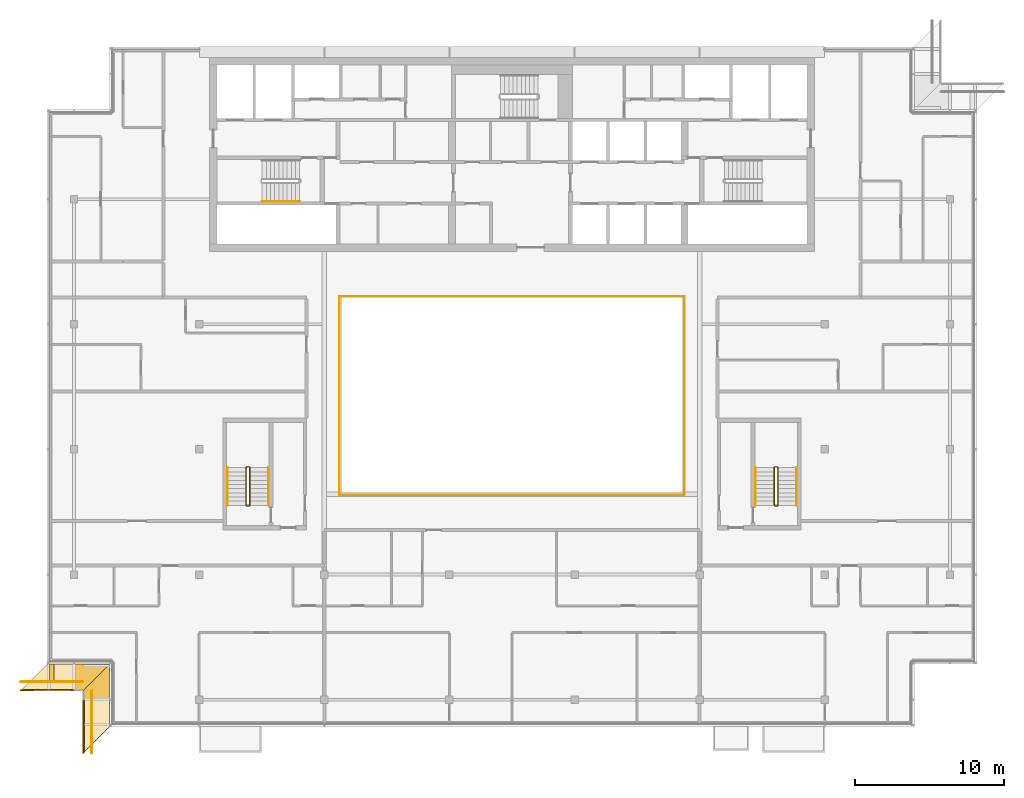
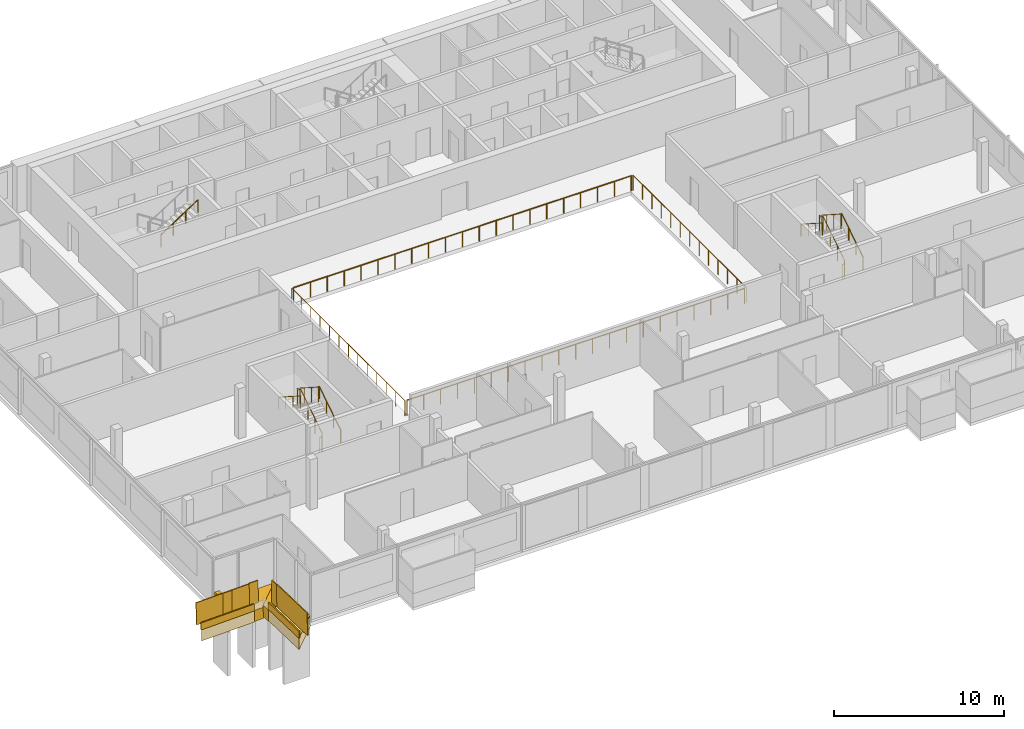
# One storey, part 22 of 24: 16 railings, 7 coverings.
"""IFC4 building model written with IfcOpenShell, lengths in metres."""

from ifc_helpers import new_model, si_unit, direction, frame, origin, origin_2d, place, context, subcontext, project, spatial, polyline, rectangle, circle, outline, extrude, material, layer, layer_set, type_object, element, save


model = new_model("IFC4")

# Units and contexts
model_context = context("Model", 3, precision=1e-05, world=origin(), true_north=direction((0.0, 1.0)))
body_context = subcontext(model_context, "Body", "Model", "MODEL_VIEW")
ifc_project = project(units=[si_unit("LENGTHUNIT", "METRE"), si_unit("AREAUNIT", "SQUARE_METRE"), si_unit("VOLUMEUNIT", "CUBIC_METRE"), si_unit("PLANEANGLEUNIT", "RADIAN"), si_unit("MASSUNIT", "GRAM", prefix="KILO")], contexts=[model_context])

# Site, building, storey
site_placement = place(None, origin())
site = spatial("IfcSite", under=ifc_project, at=site_placement, CompositionType="ELEMENT")
building_placement = place(site_placement, origin())
building = spatial("IfcBuilding", under=site, at=building_placement, Name="Saffron Gate Tower", CompositionType="ELEMENT")
storey_placement = place(building_placement, frame((0.0, 0.0, 281.550048828125)))
storey = spatial("IfcBuildingStorey", under=building, at=storey_placement, Name="L68", CompositionType="ELEMENT", Elevation=281.550048828125)

# Railings
ifc_material_1 = material(Name="Stainless steel and laminated glass", Category="steel")
railing_type_1 = type_object("IfcRailingType", Name="AG1 Atrium edge guard 1100", PredefinedType="GUARDRAIL", material=ifc_material_1)
railing_1_placement = place(storey_placement, frame((76.02001953125, 45.5400390625, 0.0)))
element("IfcRailing", 1, at=railing_1_placement, inside=storey, type_object=railing_type_1, Name="Guard E3-1", PredefinedType="GUARDRAIL", context=body_context, shape_type="SweptSolid", body=[
    extrude(circle(Radius=0.02392578125, at=origin_2d()), frame((0.0, 0.0, 1.076171875), z_axis=(0.0, 1.0, 0.0), x_axis=(-1.0, 0.0, 0.0)), (0.0, 0.0, 1.0), 13.320068359375),
    extrude(circle(Radius=0.02099609375, at=origin_2d()), origin(), (0.0, 0.0, 1.0), 1.052001953125),
    extrude(circle(Radius=0.02099609375, at=origin_2d()), frame((0.0, 1.110107421875, 0.0)), (0.0, 0.0, 1.0), 1.052001953125),
    extrude(circle(Radius=0.02099609375, at=origin_2d()), frame((0.0, 2.219970703125, 0.0)), (0.0, 0.0, 1.0), 1.052001953125),
    extrude(circle(Radius=0.02099609375, at=origin_2d()), frame((0.0, 3.330078125, 0.0)), (0.0, 0.0, 1.0), 1.052001953125),
    extrude(circle(Radius=0.02099609375, at=origin_2d()), frame((0.0, 4.43994140625, 0.0)), (0.0, 0.0, 1.0), 1.052001953125),
    extrude(circle(Radius=0.02099609375, at=origin_2d()), frame((0.0, 5.550048828125, 0.0)), (0.0, 0.0, 1.0), 1.052001953125),
    extrude(circle(Radius=0.02099609375, at=origin_2d()), frame((0.0, 6.66015625, 0.0)), (0.0, 0.0, 1.0), 1.052001953125),
    extrude(circle(Radius=0.02099609375, at=origin_2d()), frame((0.0, 7.77001953125, 0.0)), (0.0, 0.0, 1.0), 1.052001953125),
    extrude(circle(Radius=0.02099609375, at=origin_2d()), frame((0.0, 8.880126953125, 0.0)), (0.0, 0.0, 1.0), 1.052001953125),
    extrude(circle(Radius=0.02099609375, at=origin_2d()), frame((0.0, 9.989990234375, 0.0)), (0.0, 0.0, 1.0), 1.052001953125),
    extrude(circle(Radius=0.02099609375, at=origin_2d()), frame((0.0, 11.10009765625, 0.0)), (0.0, 0.0, 1.0), 1.052001953125),
    extrude(circle(Radius=0.02099609375, at=origin_2d()), frame((0.0, 12.2099609375, 0.0)), (0.0, 0.0, 1.0), 1.052001953125),
    extrude(circle(Radius=0.02099609375, at=origin_2d()), frame((0.0, 13.320068359375, 0.0)), (0.0, 0.0, 1.0), 1.052001953125),
])
railing_2_placement = place(storey_placement, frame((76.139892578125, 58.860107421875, 0.0)))
element("IfcRailing", 2, at=railing_2_placement, inside=storey, type_object=railing_type_1, Name="Guard E3-2", PredefinedType="GUARDRAIL", context=body_context, shape_type="SweptSolid", body=[
    extrude(circle(Radius=0.02392578125, at=origin_2d()), frame((0.0, 0.0, 1.076171875), z_axis=(1.0, 0.0, 0.0), x_axis=(0.0, 1.0, 0.0)), (0.0, 0.0, 1.0), 22.920166015625),
    extrude(circle(Radius=0.02099609375, at=origin_2d()), origin(), (0.0, 0.0, 1.0), 1.052001953125),
    extrude(circle(Radius=0.02099609375, at=origin_2d()), frame((1.14599609375, 0.0, 0.0)), (0.0, 0.0, 1.0), 1.052001953125),
    extrude(circle(Radius=0.02099609375, at=origin_2d()), frame((2.2919921875, 0.0, 0.0)), (0.0, 0.0, 1.0), 1.052001953125),
    extrude(circle(Radius=0.02099609375, at=origin_2d()), frame((3.43798828125, 0.0, 0.0)), (0.0, 0.0, 1.0), 1.052001953125),
    extrude(circle(Radius=0.02099609375, at=origin_2d()), frame((4.583984375, 0.0, 0.0)), (0.0, 0.0, 1.0), 1.052001953125),
    extrude(circle(Radius=0.02099609375, at=origin_2d()), frame((5.72998046875, 0.0, 0.0)), (0.0, 0.0, 1.0), 1.052001953125),
    extrude(circle(Radius=0.02099609375, at=origin_2d()), frame((6.8759765625, 0.0, 0.0)), (0.0, 0.0, 1.0), 1.052001953125),
    extrude(circle(Radius=0.02099609375, at=origin_2d()), frame((8.02197265625, 0.0, 0.0)), (0.0, 0.0, 1.0), 1.052001953125),
    extrude(circle(Radius=0.02099609375, at=origin_2d()), frame((9.16796875, 0.0, 0.0)), (0.0, 0.0, 1.0), 1.052001953125),
    extrude(circle(Radius=0.02099609375, at=origin_2d()), frame((10.31396484375, 0.0, 0.0)), (0.0, 0.0, 1.0), 1.052001953125),
    extrude(circle(Radius=0.02099609375, at=origin_2d()), frame((11.4599609375, 0.0, 0.0)), (0.0, 0.0, 1.0), 1.052001953125),
    extrude(circle(Radius=0.02099609375, at=origin_2d()), frame((12.606201171875, 0.0, 0.0)), (0.0, 0.0, 1.0), 1.052001953125),
    extrude(circle(Radius=0.02099609375, at=origin_2d()), frame((13.752197265625, 0.0, 0.0)), (0.0, 0.0, 1.0), 1.052001953125),
    extrude(circle(Radius=0.02099609375, at=origin_2d()), frame((14.898193359375, 0.0, 0.0)), (0.0, 0.0, 1.0), 1.052001953125),
    extrude(circle(Radius=0.02099609375, at=origin_2d()), frame((16.044189453125, 0.0, 0.0)), (0.0, 0.0, 1.0), 1.052001953125),
    extrude(circle(Radius=0.02099609375, at=origin_2d()), frame((17.190185546875, 0.0, 0.0)), (0.0, 0.0, 1.0), 1.052001953125),
    extrude(circle(Radius=0.02099609375, at=origin_2d()), frame((18.336181640625, 0.0, 0.0)), (0.0, 0.0, 1.0), 1.052001953125),
    extrude(circle(Radius=0.02099609375, at=origin_2d()), frame((19.482177734375, 0.0, 0.0)), (0.0, 0.0, 1.0), 1.052001953125),
    extrude(circle(Radius=0.02099609375, at=origin_2d()), frame((20.628173828125, 0.0, 0.0)), (0.0, 0.0, 1.0), 1.052001953125),
    extrude(circle(Radius=0.02099609375, at=origin_2d()), frame((21.774169921875, 0.0, 0.0)), (0.0, 0.0, 1.0), 1.052001953125),
    extrude(circle(Radius=0.02099609375, at=origin_2d()), frame((22.920166015625, 0.0, 0.0)), (0.0, 0.0, 1.0), 1.052001953125),
])
railing_3_placement = place(storey_placement, frame((99.179931640625, 58.860107421875, 0.0)))
element("IfcRailing", 3, at=railing_3_placement, inside=storey, type_object=railing_type_1, Name="Guard E3-3", PredefinedType="GUARDRAIL", context=body_context, shape_type="SweptSolid", body=[
    extrude(circle(Radius=0.02392578125, at=origin_2d()), frame((0.0, 0.0, 1.076171875), z_axis=(0.0, -1.0, 0.0), x_axis=(1.0, 0.0, 0.0)), (0.0, 0.0, 1.0), 13.320068359375),
    extrude(circle(Radius=0.02099609375, at=origin_2d()), origin(), (0.0, 0.0, 1.0), 1.052001953125),
    extrude(circle(Radius=0.02099609375, at=origin_2d()), frame((0.0, -1.110107421875, 0.0)), (0.0, 0.0, 1.0), 1.052001953125),
    extrude(circle(Radius=0.02099609375, at=origin_2d()), frame((0.0, -2.219970703125, 0.0)), (0.0, 0.0, 1.0), 1.052001953125),
    extrude(circle(Radius=0.02099609375, at=origin_2d()), frame((0.0, -3.330078125, 0.0)), (0.0, 0.0, 1.0), 1.052001953125),
    extrude(circle(Radius=0.02099609375, at=origin_2d()), frame((0.0, -4.43994140625, 0.0)), (0.0, 0.0, 1.0), 1.052001953125),
    extrude(circle(Radius=0.02099609375, at=origin_2d()), frame((0.0, -5.550048828125, 0.0)), (0.0, 0.0, 1.0), 1.052001953125),
    extrude(circle(Radius=0.02099609375, at=origin_2d()), frame((0.0, -6.66015625, 0.0)), (0.0, 0.0, 1.0), 1.052001953125),
    extrude(circle(Radius=0.02099609375, at=origin_2d()), frame((0.0, -7.77001953125, 0.0)), (0.0, 0.0, 1.0), 1.052001953125),
    extrude(circle(Radius=0.02099609375, at=origin_2d()), frame((0.0, -8.880126953125, 0.0)), (0.0, 0.0, 1.0), 1.052001953125),
    extrude(circle(Radius=0.02099609375, at=origin_2d()), frame((0.0, -9.989990234375, 0.0)), (0.0, 0.0, 1.0), 1.052001953125),
    extrude(circle(Radius=0.02099609375, at=origin_2d()), frame((0.0, -11.10009765625, 0.0)), (0.0, 0.0, 1.0), 1.052001953125),
    extrude(circle(Radius=0.02099609375, at=origin_2d()), frame((0.0, -12.2099609375, 0.0)), (0.0, 0.0, 1.0), 1.052001953125),
    extrude(circle(Radius=0.02099609375, at=origin_2d()), frame((0.0, -13.320068359375, 0.0)), (0.0, 0.0, 1.0), 1.052001953125),
])
railing_4_placement = place(storey_placement, frame((99.06005859375, 45.5400390625, 0.0)))
element("IfcRailing", 4, at=railing_4_placement, inside=storey, type_object=railing_type_1, Name="Guard E3-4", PredefinedType="GUARDRAIL", context=body_context, shape_type="SweptSolid", body=[
    extrude(circle(Radius=0.02392578125, at=origin_2d()), frame((0.0, 0.0, 1.076171875), z_axis=(-1.0, 0.0, 0.0), x_axis=(0.0, -1.0, 0.0)), (0.0, 0.0, 1.0), 22.920166015625),
    extrude(circle(Radius=0.02099609375, at=origin_2d()), origin(), (0.0, 0.0, 1.0), 1.052001953125),
    extrude(circle(Radius=0.02099609375, at=origin_2d()), frame((-1.14599609375, 0.0, 0.0)), (0.0, 0.0, 1.0), 1.052001953125),
    extrude(circle(Radius=0.02099609375, at=origin_2d()), frame((-2.2919921875, 0.0, 0.0)), (0.0, 0.0, 1.0), 1.052001953125),
    extrude(circle(Radius=0.02099609375, at=origin_2d()), frame((-3.43798828125, 0.0, 0.0)), (0.0, 0.0, 1.0), 1.052001953125),
    extrude(circle(Radius=0.02099609375, at=origin_2d()), frame((-4.583984375, 0.0, 0.0)), (0.0, 0.0, 1.0), 1.052001953125),
    extrude(circle(Radius=0.02099609375, at=origin_2d()), frame((-5.72998046875, 0.0, 0.0)), (0.0, 0.0, 1.0), 1.052001953125),
    extrude(circle(Radius=0.02099609375, at=origin_2d()), frame((-6.8759765625, 0.0, 0.0)), (0.0, 0.0, 1.0), 1.052001953125),
    extrude(circle(Radius=0.02099609375, at=origin_2d()), frame((-8.02197265625, 0.0, 0.0)), (0.0, 0.0, 1.0), 1.052001953125),
    extrude(circle(Radius=0.02099609375, at=origin_2d()), frame((-9.16796875, 0.0, 0.0)), (0.0, 0.0, 1.0), 1.052001953125),
    extrude(circle(Radius=0.02099609375, at=origin_2d()), frame((-10.31396484375, 0.0, 0.0)), (0.0, 0.0, 1.0), 1.052001953125),
    extrude(circle(Radius=0.02099609375, at=origin_2d()), frame((-11.4599609375, 0.0, 0.0)), (0.0, 0.0, 1.0), 1.052001953125),
    extrude(circle(Radius=0.02099609375, at=origin_2d()), frame((-12.606201171875, 0.0, 0.0)), (0.0, 0.0, 1.0), 1.052001953125),
    extrude(circle(Radius=0.02099609375, at=origin_2d()), frame((-13.752197265625, 0.0, 0.0)), (0.0, 0.0, 1.0), 1.052001953125),
    extrude(circle(Radius=0.02099609375, at=origin_2d()), frame((-14.898193359375, 0.0, 0.0)), (0.0, 0.0, 1.0), 1.052001953125),
    extrude(circle(Radius=0.02099609375, at=origin_2d()), frame((-16.044189453125, 0.0, 0.0)), (0.0, 0.0, 1.0), 1.052001953125),
    extrude(circle(Radius=0.02099609375, at=origin_2d()), frame((-17.190185546875, 0.0, 0.0)), (0.0, 0.0, 1.0), 1.052001953125),
    extrude(circle(Radius=0.02099609375, at=origin_2d()), frame((-18.336181640625, 0.0, 0.0)), (0.0, 0.0, 1.0), 1.052001953125),
    extrude(circle(Radius=0.02099609375, at=origin_2d()), frame((-19.482177734375, 0.0, 0.0)), (0.0, 0.0, 1.0), 1.052001953125),
    extrude(circle(Radius=0.02099609375, at=origin_2d()), frame((-20.628173828125, 0.0, 0.0)), (0.0, 0.0, 1.0), 1.052001953125),
    extrude(circle(Radius=0.02099609375, at=origin_2d()), frame((-21.774169921875, 0.0, 0.0)), (0.0, 0.0, 1.0), 1.052001953125),
    extrude(circle(Radius=0.02099609375, at=origin_2d()), frame((-22.920166015625, 0.0, 0.0)), (0.0, 0.0, 1.0), 1.052001953125),
])
railing_type_2 = type_object("IfcRailingType", Name="CR1 Stair guard 1100", PredefinedType="GUARDRAIL", material=ifc_material_1)
railing_5_placement = place(storey_placement, frame((69.800048828125, 44.800048828125, 0.0)))
element("IfcRailing", 5, at=railing_5_placement, inside=storey, type_object=railing_type_2, Name="L68 ST-D stair guard 1", PredefinedType="GUARDRAIL", context=body_context, shape_type="SweptSolid", body=[
    extrude(circle(Radius=0.02392578125, at=origin_2d()), frame((0.0, 0.0, 1.076171875), z_axis=(1.0, 0.0, 0.0), x_axis=(0.0, 1.0, 0.0)), (0.0, 0.0, 1.0), 0.14990234375),
    extrude(circle(Radius=0.02392578125, at=origin_2d()), frame((0.14990234375, 0.0, 1.076171875), z_axis=(0.258847668887, 0.258847668887, 0.930588936439), x_axis=(-0.707106781187, 0.707106781187, 0.0)), (0.0, 0.0, 1.0), 0.193359375),
    extrude(circle(Radius=0.02392578125, at=origin_2d()), frame((0.199951171875, 0.050048828125, 1.255859375), z_axis=(0.0, 0.841162588446, 0.540782303519), x_axis=(-1.0, 0.0, 0.0)), (0.0, 0.0, 1.0), 2.995849609375),
    extrude(circle(Radius=0.02392578125, at=origin_2d()), frame((0.199951171875, 2.570068359375, 2.8759765625), z_axis=(-0.708833529934, 0.705375805398, 0.0), x_axis=(-0.705375805398, -0.708833529934, 0.0)), (0.0, 0.0, 1.0), 0.070556640625),
    extrude(circle(Radius=0.02392578125, at=origin_2d()), frame((0.14990234375, 2.619873046875, 2.8759765625), z_axis=(-1.0, 0.0, 0.0), x_axis=(0.0, -1.0, 0.0)), (0.0, 0.0, 1.0), 0.14990234375),
    extrude(circle(Radius=0.02392578125, at=origin_2d()), frame((0.0, 2.619873046875, 2.8759765625), z_axis=(-0.258932105505, -0.257669022063, 0.930892496375), x_axis=(0.705375805398, -0.708833529934, 0.0)), (0.0, 0.0, 1.0), 0.193359375),
    extrude(circle(Radius=0.02392578125, at=origin_2d()), frame((-0.050048828125, 2.570068359375, 3.05615234375), z_axis=(0.0, -0.841199657755, 0.540724639528), x_axis=(1.0, 0.0, 0.0)), (0.0, 0.0, 1.0), 2.995849609375),
    extrude(circle(Radius=0.02099609375, at=origin_2d()), origin(), (0.0, 0.0, 1.0), 1.052001953125),
    extrude(circle(Radius=0.02099609375, at=origin_2d()), frame((0.14990234375, 0.0, 0.0)), (0.0, 0.0, 1.0), 1.052001953125),
    extrude(circle(Radius=0.02099609375, at=origin_2d()), frame((0.199951171875, 0.050048828125, 0.179931640625)), (0.0, 0.0, 1.0), 1.052001953125),
    extrude(circle(Radius=0.02099609375, at=origin_2d()), frame((0.199951171875, 0.89013671875, 0.719970703125)), (0.0, 0.0, 1.0), 1.052001953125),
    extrude(circle(Radius=0.02099609375, at=origin_2d()), frame((0.199951171875, 1.72998046875, 1.260009765625)), (0.0, 0.0, 1.0), 1.052001953125),
    extrude(circle(Radius=0.02099609375, at=origin_2d()), frame((0.199951171875, 2.570068359375, 1.800048828125)), (0.0, 0.0, 1.0), 1.052001953125),
    extrude(circle(Radius=0.02099609375, at=origin_2d()), frame((0.14990234375, 2.619873046875, 1.800048828125)), (0.0, 0.0, 1.0), 1.052001953125),
    extrude(circle(Radius=0.02099609375, at=origin_2d()), frame((0.0, 2.619873046875, 1.800048828125)), (0.0, 0.0, 1.0), 1.052001953125),
    extrude(circle(Radius=0.02099609375, at=origin_2d()), frame((-0.050048828125, 2.570068359375, 1.97998046875)), (0.0, 0.0, 1.0), 1.052001953125),
    extrude(circle(Radius=0.02099609375, at=origin_2d()), frame((-0.050048828125, 1.72998046875, 2.52001953125)), (0.0, 0.0, 1.0), 1.052001953125),
    extrude(circle(Radius=0.02099609375, at=origin_2d()), frame((-0.050048828125, 0.89013671875, 3.059814453125)), (0.0, 0.0, 1.0), 1.052001953125),
    extrude(circle(Radius=0.02099609375, at=origin_2d()), frame((-0.050048828125, 0.050048828125, 3.599853515625)), (0.0, 0.0, 1.0), 1.052001953125),
])
railing_6_placement = place(storey_placement, frame((105.25, 44.800048828125, 0.0)))
element("IfcRailing", 6, at=railing_6_placement, inside=storey, type_object=railing_type_2, Name="L68 ST-E stair guard 1", PredefinedType="GUARDRAIL", context=body_context, shape_type="SweptSolid", body=[
    extrude(circle(Radius=0.02392578125, at=origin_2d()), frame((0.0, 0.0, 1.076171875), z_axis=(1.0, 0.0, 0.0), x_axis=(0.0, 1.0, 0.0)), (0.0, 0.0, 1.0), 0.14990234375),
    extrude(circle(Radius=0.02392578125, at=origin_2d()), frame((0.14990234375, 0.0, 1.076171875), z_axis=(0.258847668887, 0.258847668887, 0.930588936439), x_axis=(-0.707106781187, 0.707106781187, 0.0)), (0.0, 0.0, 1.0), 0.193359375),
    extrude(circle(Radius=0.02392578125, at=origin_2d()), frame((0.199951171875, 0.050048828125, 1.255859375), z_axis=(0.0, 0.841162588446, 0.540782303519), x_axis=(-1.0, 0.0, 0.0)), (0.0, 0.0, 1.0), 2.995849609375),
    extrude(circle(Radius=0.02392578125, at=origin_2d()), frame((0.199951171875, 2.570068359375, 2.8759765625), z_axis=(-0.708833529934, 0.705375805398, 0.0), x_axis=(-0.705375805398, -0.708833529934, 0.0)), (0.0, 0.0, 1.0), 0.070556640625),
    extrude(circle(Radius=0.02392578125, at=origin_2d()), frame((0.14990234375, 2.619873046875, 2.8759765625), z_axis=(-1.0, 0.0, 0.0), x_axis=(0.0, -1.0, 0.0)), (0.0, 0.0, 1.0), 0.14990234375),
    extrude(circle(Radius=0.02392578125, at=origin_2d()), frame((0.0, 2.619873046875, 2.8759765625), z_axis=(-0.258932105505, -0.257669022063, 0.930892496375), x_axis=(0.705375805398, -0.708833529934, 0.0)), (0.0, 0.0, 1.0), 0.193359375),
    extrude(circle(Radius=0.02392578125, at=origin_2d()), frame((-0.050048828125, 2.570068359375, 3.05615234375), z_axis=(0.0, -0.841199657755, 0.540724639528), x_axis=(1.0, 0.0, 0.0)), (0.0, 0.0, 1.0), 2.995849609375),
    extrude(circle(Radius=0.02099609375, at=origin_2d()), origin(), (0.0, 0.0, 1.0), 1.052001953125),
    extrude(circle(Radius=0.02099609375, at=origin_2d()), frame((0.14990234375, 0.0, 0.0)), (0.0, 0.0, 1.0), 1.052001953125),
    extrude(circle(Radius=0.02099609375, at=origin_2d()), frame((0.199951171875, 0.050048828125, 0.179931640625)), (0.0, 0.0, 1.0), 1.052001953125),
    extrude(circle(Radius=0.02099609375, at=origin_2d()), frame((0.199951171875, 0.89013671875, 0.719970703125)), (0.0, 0.0, 1.0), 1.052001953125),
    extrude(circle(Radius=0.02099609375, at=origin_2d()), frame((0.199951171875, 1.72998046875, 1.260009765625)), (0.0, 0.0, 1.0), 1.052001953125),
    extrude(circle(Radius=0.02099609375, at=origin_2d()), frame((0.199951171875, 2.570068359375, 1.800048828125)), (0.0, 0.0, 1.0), 1.052001953125),
    extrude(circle(Radius=0.02099609375, at=origin_2d()), frame((0.14990234375, 2.619873046875, 1.800048828125)), (0.0, 0.0, 1.0), 1.052001953125),
    extrude(circle(Radius=0.02099609375, at=origin_2d()), frame((0.0, 2.619873046875, 1.800048828125)), (0.0, 0.0, 1.0), 1.052001953125),
    extrude(circle(Radius=0.02099609375, at=origin_2d()), frame((-0.050048828125, 2.570068359375, 1.97998046875)), (0.0, 0.0, 1.0), 1.052001953125),
    extrude(circle(Radius=0.02099609375, at=origin_2d()), frame((-0.050048828125, 1.72998046875, 2.52001953125)), (0.0, 0.0, 1.0), 1.052001953125),
    extrude(circle(Radius=0.02099609375, at=origin_2d()), frame((-0.050048828125, 0.89013671875, 3.059814453125)), (0.0, 0.0, 1.0), 1.052001953125),
    extrude(circle(Radius=0.02099609375, at=origin_2d()), frame((-0.050048828125, 0.050048828125, 3.599853515625)), (0.0, 0.0, 1.0), 1.052001953125),
])
ifc_material_2 = material(Name="Stainless steel", Category="steel")
railing_type_3 = type_object("IfcRailingType", Name="CR2 Stair handrail 900", PredefinedType="HANDRAIL", material=ifc_material_2)
railing_7_placement = place(storey_placement, frame((70.830078125, 65.25, 1.97998046875)))
element("IfcRailing", 7, at=railing_7_placement, inside=storey, type_object=railing_type_3, Name="L68 ST-A stair handrail 2", PredefinedType="HANDRAIL", context=body_context, shape_type="SweptSolid", body=[
    extrude(circle(Radius=0.02392578125, at=origin_2d()), frame((0.0, 0.0, 0.8759765625), z_axis=(0.841199657755, 0.0, 0.540724639528), x_axis=(0.0, 1.0, 0.0)), (0.0, 0.0, 1.0), 2.995849609375),
    extrude(circle(Radius=0.02099609375, at=origin_2d()), origin(), (0.0, 0.0, 1.0), 0.851806640625),
    extrude(circle(Radius=0.02099609375, at=origin_2d()), frame((0.840087890625, 0.0, 0.5400390625)), (0.0, 0.0, 1.0), 0.851806640625),
    extrude(circle(Radius=0.02099609375, at=origin_2d()), frame((1.679931640625, 0.0, 1.079833984375)), (0.0, 0.0, 1.0), 0.851806640625),
    extrude(circle(Radius=0.02099609375, at=origin_2d()), frame((2.52001953125, 0.0, 1.619873046875)), (0.0, 0.0, 1.0), 0.851806640625),
])
railing_8_placement = place(storey_placement, frame((71.25, 44.85009765625, 0.179931640625)))
element("IfcRailing", 8, at=railing_8_placement, inside=storey, type_object=railing_type_3, Name="L68 ST-D stair handrail 1", PredefinedType="HANDRAIL", context=body_context, shape_type="SweptSolid", body=[
    extrude(circle(Radius=0.02392578125, at=origin_2d()), frame((0.0, 0.0, 0.8759765625), z_axis=(0.0, 0.841162588446, 0.540782303519), x_axis=(-1.0, 0.0, 0.0)), (0.0, 0.0, 1.0), 2.995849609375),
    extrude(circle(Radius=0.02099609375, at=origin_2d()), origin(), (0.0, 0.0, 1.0), 0.851806640625),
    extrude(circle(Radius=0.02099609375, at=origin_2d()), frame((0.0, 0.840087890625, 0.5400390625)), (0.0, 0.0, 1.0), 0.851806640625),
    extrude(circle(Radius=0.02099609375, at=origin_2d()), frame((0.0, 1.679931640625, 1.080078125)), (0.0, 0.0, 1.0), 0.851806640625),
    extrude(circle(Radius=0.02099609375, at=origin_2d()), frame((0.0, 2.52001953125, 1.6201171875)), (0.0, 0.0, 1.0), 0.851806640625),
])
railing_9_placement = place(storey_placement, frame((68.5, 47.3701171875, 1.97998046875)))
element("IfcRailing", 9, at=railing_9_placement, inside=storey, type_object=railing_type_3, Name="L68 ST-D stair handrail 2", PredefinedType="HANDRAIL", context=body_context, shape_type="SweptSolid", body=[
    extrude(circle(Radius=0.02392578125, at=origin_2d()), frame((0.0, 0.0, 0.8759765625), z_axis=(0.0, -0.841199657755, 0.540724639528), x_axis=(1.0, 0.0, 0.0)), (0.0, 0.0, 1.0), 2.995849609375),
    extrude(circle(Radius=0.02099609375, at=origin_2d()), origin(), (0.0, 0.0, 1.0), 0.851806640625),
    extrude(circle(Radius=0.02099609375, at=origin_2d()), frame((0.0, -0.840087890625, 0.5400390625)), (0.0, 0.0, 1.0), 0.851806640625),
    extrude(circle(Radius=0.02099609375, at=origin_2d()), frame((0.0, -1.679931640625, 1.079833984375)), (0.0, 0.0, 1.0), 0.851806640625),
    extrude(circle(Radius=0.02099609375, at=origin_2d()), frame((0.0, -2.52001953125, 1.619873046875)), (0.0, 0.0, 1.0), 0.851806640625),
])
railing_10_placement = place(storey_placement, frame((106.699951171875, 44.85009765625, 0.179931640625)))
element("IfcRailing", 10, at=railing_10_placement, inside=storey, type_object=railing_type_3, Name="L68 ST-E stair handrail 1", PredefinedType="HANDRAIL", context=body_context, shape_type="SweptSolid", body=[
    extrude(circle(Radius=0.02392578125, at=origin_2d()), frame((0.0, 0.0, 0.8759765625), z_axis=(0.0, 0.841162588446, 0.540782303519), x_axis=(-1.0, 0.0, 0.0)), (0.0, 0.0, 1.0), 2.995849609375),
    extrude(circle(Radius=0.02099609375, at=origin_2d()), origin(), (0.0, 0.0, 1.0), 0.851806640625),
    extrude(circle(Radius=0.02099609375, at=origin_2d()), frame((0.0, 0.840087890625, 0.5400390625)), (0.0, 0.0, 1.0), 0.851806640625),
    extrude(circle(Radius=0.02099609375, at=origin_2d()), frame((0.0, 1.679931640625, 1.080078125)), (0.0, 0.0, 1.0), 0.851806640625),
    extrude(circle(Radius=0.02099609375, at=origin_2d()), frame((0.0, 2.52001953125, 1.6201171875)), (0.0, 0.0, 1.0), 0.851806640625),
])
railing_11_placement = place(storey_placement, frame((103.949951171875, 47.3701171875, 1.97998046875)))
element("IfcRailing", 11, at=railing_11_placement, inside=storey, type_object=railing_type_3, Name="L68 ST-E stair handrail 2", PredefinedType="HANDRAIL", context=body_context, shape_type="SweptSolid", body=[
    extrude(circle(Radius=0.02392578125, at=origin_2d()), frame((0.0, 0.0, 0.8759765625), z_axis=(0.0, -0.841199657755, 0.540724639528), x_axis=(1.0, 0.0, 0.0)), (0.0, 0.0, 1.0), 2.995849609375),
    extrude(circle(Radius=0.02099609375, at=origin_2d()), origin(), (0.0, 0.0, 1.0), 0.851806640625),
    extrude(circle(Radius=0.02099609375, at=origin_2d()), frame((0.0, -0.840087890625, 0.5400390625)), (0.0, 0.0, 1.0), 0.851806640625),
    extrude(circle(Radius=0.02099609375, at=origin_2d()), frame((0.0, -1.679931640625, 1.079833984375)), (0.0, 0.0, 1.0), 0.851806640625),
    extrude(circle(Radius=0.02099609375, at=origin_2d()), frame((0.0, -2.52001953125, 1.619873046875)), (0.0, 0.0, 1.0), 0.851806640625),
])

# Coverings
ifc_material_3 = material(Name="Timber, thermally modified ash", Category="wood")
ifc_layer_1 = layer(ifc_material_3, 0.800048828125)
ifc_layer_set_1 = layer_set([ifc_layer_1], Name="LD1 ledge timber")
covering_type_1 = type_object("IfcCoveringType", Name="LD1 ledge timber", PredefinedType="CLADDING", material=ifc_layer_set_1)
covering_1_placement = place(storey_placement, frame((56.39990234375, 34.199951171875, 0.1513671875), z_axis=(-0.028788135707, -4.6492774e-05, 0.99958553465), x_axis=(0.99958553573, -2.161e-09, 0.028788135738)))
element("IfcCovering", 12, at=covering_1_placement, inside=storey, type_object=covering_type_1, Name="LEDGE", PredefinedType="CLADDING", context=body_context, shape_type="SweptSolid", body=[
    extrude(outline(polyline([(0.0, 0.0), (1.8007927831333284, 4.235164736271502e-22), (1.800792787022667, -1.8000488261795269), (-1.8005557681600073, -1.8000488378518529), (0.0, 0.0)])), origin(), (0.0, 0.0, -1.0), 0.800048828125),
])
covering_2_placement = place(storey_placement, frame((58.199951171875, 34.199951171875, 0.238525390625), z_axis=(-0.028713032424, -8.2123318e-05, 0.999587692514), x_axis=(0.999587695884, 5.056e-09, 0.028713032521)))
element("IfcCovering", 13, at=covering_2_placement, inside=storey, type_object=covering_type_1, Name="LEDGE", PredefinedType="CLADDING", context=body_context, shape_type="SweptSolid", body=[
    extrude(outline(polyline([(0.0, 0.0), (2.401140729112013, 0.0), (0.6003409256550367, -1.800048837230252), (-9.100891367664378e-09, -1.8000488220550201), (0.0, 0.0)])), origin(), (0.0, 0.0, -1.0), 0.800048828125),
])
covering_3_placement = place(storey_placement, frame((60.60009765625, 34.199951171875, 0.354736328125), z_axis=(-2.8677152e-05, 0.028798988267, 0.999585222706), x_axis=(-6.17e-10, -0.999585223117, 0.028798988279)))
element("IfcCovering", 14, at=covering_3_placement, inside=storey, type_object=covering_type_1, Name="LEDGE", PredefinedType="CLADDING", context=body_context, shape_type="SweptSolid", body=[
    extrude(outline(polyline([(0.0, 0.0), (2.400896693585025, -4.235164736271502e-22), (2.400896694694882, -1.8000488273848385), (1.8007927832284332, -1.8000488292351673), (0.0, 0.0)])), origin(), (0.0, 0.0, -1.0), 0.800048828125),
])
covering_4_placement = place(storey_placement, frame((60.60009765625, 31.800048828125, 0.470947265625), z_axis=(0.0, 0.028741681402, 0.999586872538), x_axis=(0.0, -0.999586872538, 0.028741681402)))
element("IfcCovering", 15, at=covering_4_placement, inside=storey, type_object=covering_type_1, Name="LEDGE", PredefinedType="CLADDING", context=body_context, shape_type="SweptSolid", body=[
    extrude(outline(polyline([(0.0, 0.0), (1.8007927850779974, 0.0), (3.601585570155995, -1.800048828125), (0.0, -1.800048828125), (0.0, 0.0)])), origin(), (0.0, 0.0, -1.0), 0.800048828125),
])
ifc_layer_2 = layer(ifc_material_3, 0.080078125)
ifc_layer_set_2 = layer_set([ifc_layer_2], Name="LD2 ledge planter trough")
covering_type_2 = type_object("IfcCoveringType", Name="LD2 ledge planter trough", PredefinedType="CLADDING", material=ifc_layer_set_2)
covering_5_placement = place(storey_placement, frame((54.60009765625, 32.39990234375, 0.099365234375), z_axis=(0.0, -1.0, 0.0), x_axis=(0.999584866472, 0.0, 0.028811364412)))
element("IfcCovering", 16, at=covering_5_placement, inside=storey, type_object=covering_type_2, Name="LEDGE planter trough", PredefinedType="CLADDING", context=body_context, shape_type="SweptSolid", body=[
    extrude(outline(polyline([(0.0, 0.0), (3.601348556155073, 0.0), (3.6157542383609322, 0.49979243323622236), (0.01440568220585924, 0.49979243323622236), (0.0, 0.0)])), origin(), (0.0, 0.0, -1.0), 0.080078125),
])
covering_6_placement = place(storey_placement, frame((58.800048828125, 31.800048828125, 0.470947265625), z_axis=(-1.0, 0.0, 0.0), x_axis=(0.0, -0.999586872538, 0.028741681402)))
element("IfcCovering", 17, at=covering_6_placement, inside=storey, type_object=covering_type_2, Name="LEDGE planter trough", PredefinedType="CLADDING", context=body_context, shape_type="SweptSolid", body=[
    extrude(outline(polyline([(0.0, 0.0), (3.601585570155995, 0.0), (3.6159564108570694, 0.49979343626896944), (0.014370840701074394, 0.4997934362689694), (0.0, 0.0)])), origin(), (0.0, 0.0, -1.0), 0.080078125),
])
ifc_layer_3 = layer(ifc_material_3, 0.300048828125)
ifc_layer_set_3 = layer_set([ifc_layer_3], Name="LD3 ledge riser fin")
covering_type_3 = type_object("IfcCoveringType", Name="LD3 ledge riser fin", PredefinedType="CLADDING", material=ifc_layer_set_3)
covering_7_placement = place(storey_placement, frame((56.699951171875, 33.639892578125, -0.7666015625), z_axis=(0.0, 0.0, 1.0), x_axis=(1.0, 0.0, 0.0)))
element("IfcCovering", 18, at=covering_7_placement, inside=storey, type_object=covering_type_3, Name="LEDGE riser fin", PredefinedType="CLADDING", context=body_context, shape_type="SweptSolid", body=[
    extrude(rectangle(XDim=0.300048828125, YDim=1.1201171875, at=origin_2d()), origin(), (0.0, 0.0, 1.0), 1.817626953125),
])

# Railings
railing_type_4 = type_object("IfcRailingType", Name="LG1 ledge balustrade", PredefinedType="BALUSTRADE", material=ifc_material_3)
railing_12_placement = place(storey_placement, frame((54.60009765625, 33.0, 0.099365234375)))
element("IfcRailing", 19, at=railing_12_placement, inside=storey, type_object=railing_type_4, Name="LEDGE BALUSTRADE", PredefinedType="BALUSTRADE", context=body_context, shape_type="SweptSolid", body=[
    extrude(rectangle(XDim=0.06005859375, YDim=1.60009765625, at=origin_2d()), frame((0.0, 0.0, 0.800048828125), z_axis=(0.999584866472, 0.0, 0.028811364412), x_axis=(0.0, 1.0, 0.0)), (0.0, 0.0, 1.0), 3.601318359375),
])
railing_13_placement = place(storey_placement, frame((56.39990234375, 33.0, 0.03369140625)))
element("IfcRailing", 20, at=railing_13_placement, inside=storey, type_object=railing_type_4, Name="LEDGE BALUSTRADE", PredefinedType="BALUSTRADE", context=body_context, shape_type="SweptSolid", body=[
    extrude(rectangle(XDim=0.06005859375, YDim=1.7177734375, at=origin_2d()), frame((0.0, 0.0, 0.85888671875), z_axis=(1.0, 0.0, 0.0), x_axis=(0.0, 1.0, 0.0)), (0.0, 0.0, 1.0), 0.60009765625),
])
railing_14_placement = place(storey_placement, frame((58.199951171875, 33.0, 0.238525390625)))
element("IfcRailing", 21, at=railing_14_placement, inside=storey, type_object=railing_type_4, Name="LEDGE BALUSTRADE", PredefinedType="BALUSTRADE", context=body_context, shape_type="SweptSolid", body=[
    extrude(rectangle(XDim=0.06005859375, YDim=1.60009765625, at=origin_2d()), frame((0.0, 0.0, 0.800048828125), z_axis=(0.999594735783, 0.0, 0.028466896463), x_axis=(0.0, 1.0, 0.0)), (0.0, 0.0, 1.0), 0.600341796875),
])
railing_15_placement = place(storey_placement, frame((59.39990234375, 32.39990234375, 0.406494140625)))
element("IfcRailing", 22, at=railing_15_placement, inside=storey, type_object=railing_type_4, Name="LEDGE BALUSTRADE", PredefinedType="BALUSTRADE", context=body_context, shape_type="SweptSolid", body=[
    extrude(rectangle(XDim=0.06005859375, YDim=1.60009765625, at=origin_2d()), frame((0.0, 0.0, 0.800048828125), z_axis=(0.0, -0.999582742162, 0.028884971385), x_axis=(1.0, 0.0, 0.0)), (0.0, 0.0, 1.0), 0.60009765625),
])
railing_16_placement = place(storey_placement, frame((59.39990234375, 31.800048828125, 0.470947265625)))
element("IfcRailing", 23, at=railing_16_placement, inside=storey, type_object=railing_type_4, Name="LEDGE BALUSTRADE", PredefinedType="BALUSTRADE", context=body_context, shape_type="SweptSolid", body=[
    extrude(rectangle(XDim=0.06005859375, YDim=1.60009765625, at=origin_2d()), frame((0.0, 0.0, 0.800048828125), z_axis=(0.0, -0.999586872538, 0.028741681402), x_axis=(1.0, 0.0, 0.0)), (0.0, 0.0, 1.0), 3.6015625),
])

save(model, "model.ifc")
